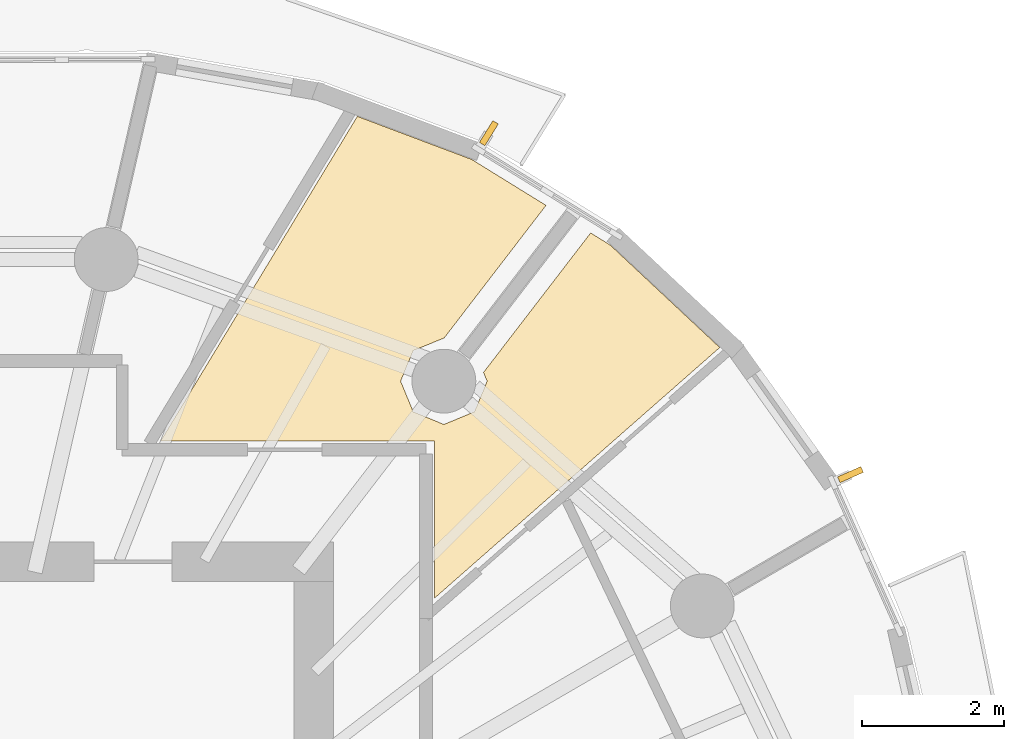
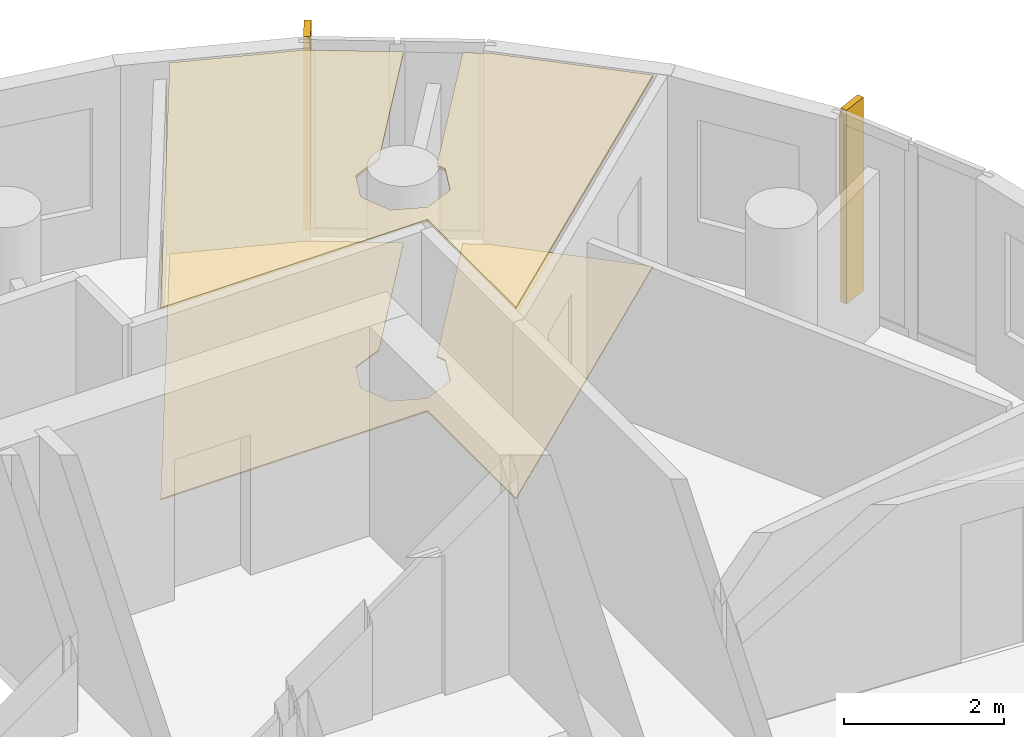
# One storey, part 10 of 10: 2 coverings, 2 shading devices.
"""IFC4 building model written with IfcOpenShell, lengths in metres."""

import ifcopenshell
import ifcopenshell.guid

model = None  # the IFC model being written
_history = None  # IfcOwnerHistory: only IFC2X3 demands one
_inside = {}  # id of a spatial element -> (the spatial element, [elements in it])
_under = {}  # id of a project, library or spatial element -> (it, [spatial elements below it])
_declared = {}  # id of a project -> (the project, [libraries it declares])
_typed = {}  # id of a type object -> (the type object, [elements of that type])
_made_of = {}  # id of a material, layer set ... -> (it, [elements and type objects made of it])


def new_model(schema):
    """Start an empty IFC model of exactly this schema.

    Asked for "IFC4X3", IfcOpenShell would pick the latest addendum, in which some entities
    have other attributes; the version numbers below select the first issue.
    IFC2X3 requires an IfcOwnerHistory on every rooted entity: one is made here for all.
    """
    global model, _history
    if schema == "IFC4X3":
        model = ifcopenshell.file(schema_version=(4, 3, 0, 0))
    else:
        model = ifcopenshell.file(schema=schema)
    _inside.clear()
    _under.clear()
    _declared.clear()
    _typed.clear()
    _made_of.clear()
    _history = None
    if model.schema == "IFC2X3":
        org = make("IfcOrganization", Name="unknown")
        user = make(
            "IfcPersonAndOrganization",
            ThePerson=make("IfcPerson", FamilyName="unknown"),
            TheOrganization=org,
        )
        app = make(
            "IfcApplication",
            ApplicationDeveloper=org,
            Version="unknown",
            ApplicationFullName="unknown",
            ApplicationIdentifier="unknown",
        )
        _history = make(
            "IfcOwnerHistory",
            OwningUser=user,
            OwningApplication=app,
            ChangeAction="ADDED",
            CreationDate=0,
        )
    return model


def make(cls, **values):
    """One entity of the class cls with the attributes given. An attribute that is None is left unset."""
    return model.create_entity(
        cls, **{name: value for name, value in values.items() if value is not None}
    )


def rooted(cls, **values):
    """An entity with a GlobalId (a new one), such as an element, a storey or a relation."""
    return make(cls, GlobalId=ifcopenshell.guid.new(), OwnerHistory=_history, **values)


def si_unit(unit_type, name, prefix=None):
    """IfcSIUnit, for example si_unit("LENGTHUNIT", "METRE", prefix="MILLI")."""
    return make("IfcSIUnit", UnitType=unit_type, Prefix=prefix, Name=name)


def assignment(units):
    """IfcUnitAssignment: the units of a project."""
    return None if units is None else make("IfcUnitAssignment", Units=units)


def point(xyz):
    """IfcCartesianPoint."""
    return None if xyz is None else make("IfcCartesianPoint", Coordinates=xyz)


def direction(xyz):
    """IfcDirection."""
    return None if xyz is None else make("IfcDirection", DirectionRatios=xyz)


def frame(location, z_axis=None, x_axis=None):
    """IfcAxis2Placement3D, a coordinate frame: its origin and axes. An axis left out is left unset."""
    return make(
        "IfcAxis2Placement3D",
        Location=point(location),
        Axis=direction(z_axis),
        RefDirection=direction(x_axis),
    )


def frame_2d(location, x_axis=None):
    """IfcAxis2Placement2D, a coordinate frame in the plane: its origin and x axis."""
    return make(
        "IfcAxis2Placement2D", Location=point(location), RefDirection=direction(x_axis)
    )


def origin():
    """The frame at (0, 0, 0) with its axes left unset."""
    return frame((0.0, 0.0, 0.0))


def origin_2d():
    """The frame at (0, 0) in the plane with its x axis left unset."""
    return frame_2d((0.0, 0.0))


def place(relative_to, where):
    """IfcLocalPlacement: puts the frame where relative to a parent placement (None: the world)."""
    return make(
        "IfcLocalPlacement", PlacementRelTo=relative_to, RelativePlacement=where
    )


def context(
    kind, dimensions, precision=None, world=None, true_north=None, identifier=None
):
    """IfcGeometricRepresentationContext, for example the 3D "Model" context."""
    return make(
        "IfcGeometricRepresentationContext",
        ContextIdentifier=identifier,
        ContextType=kind,
        CoordinateSpaceDimension=dimensions,
        Precision=precision,
        WorldCoordinateSystem=world,
        TrueNorth=true_north,
    )


def subcontext(parent, identifier, kind, view, scale=None):
    """IfcGeometricRepresentationSubContext, for example "Body" below "Model"."""
    return make(
        "IfcGeometricRepresentationSubContext",
        ContextIdentifier=identifier,
        ContextType=kind,
        ParentContext=parent,
        TargetScale=scale,
        TargetView=view,
    )


def project(units=None, contexts=None):
    """IfcProject with its units and contexts."""
    return rooted(
        "IfcProject",
        Name="project",
        RepresentationContexts=contexts,
        UnitsInContext=assignment(units),
    )


def spatial(cls, under=None, at=None, **own):
    """A site, building, storey or space (cls), placed at a placement, below another one or the project."""
    s = rooted(cls, ObjectPlacement=at, **own)
    if under is not None:
        _under.setdefault(under.id(), (under, []))[1].append(s)
    return s


def polyline(points):
    """IfcPolyline through the points."""
    return make("IfcPolyline", Points=[point(p) for p in points])


def profile(cls, at=None, kind="AREA", **sizes):
    """A parametric profile (cls). Its sizes go by their IFC names, for example OverallWidth=200.0."""
    return make(cls, ProfileType=kind, Position=at, **sizes)


def rectangle(**sizes):
    """IfcRectangleProfileDef."""
    return profile("IfcRectangleProfileDef", **sizes)


def outline(outer, holes=None, kind="AREA"):
    """IfcArbitraryClosedProfileDef: a profile drawn as a closed curve; with holes, ...WithVoids."""
    if holes is None:
        return make("IfcArbitraryClosedProfileDef", ProfileType=kind, OuterCurve=outer)
    return make(
        "IfcArbitraryProfileDefWithVoids",
        ProfileType=kind,
        OuterCurve=outer,
        InnerCurves=holes,
    )


def extrude(swept, where, along, depth):
    """IfcExtrudedAreaSolid: the profile swept, set in the frame where, extruded along a direction by depth."""
    return make(
        "IfcExtrudedAreaSolid",
        SweptArea=swept,
        Position=where,
        ExtrudedDirection=direction(along),
        Depth=depth,
    )


def shape(context_of_items, identifier, shape_type, items):
    """IfcShapeRepresentation: the items that make up one representation, for example the "Body"."""
    return make(
        "IfcShapeRepresentation",
        ContextOfItems=context_of_items,
        RepresentationIdentifier=identifier,
        RepresentationType=shape_type,
        Items=items,
    )


def material(Name=None, Category=None):
    """IfcMaterial."""
    return make("IfcMaterial", Name=Name, Category=Category)


def layer(
    of_material, thickness, ventilated=None, Name=None, Category=None, Priority=None
):
    """IfcMaterialLayer: one layer of a wall or slab, of a material (None: an air gap)."""
    return make(
        "IfcMaterialLayer",
        Material=of_material,
        LayerThickness=thickness,
        IsVentilated=ventilated,
        Name=Name,
        Category=Category,
        Priority=Priority,
    )


def layer_set(layers, Name=None):
    """IfcMaterialLayerSet."""
    return make("IfcMaterialLayerSet", MaterialLayers=layers, LayerSetName=Name)


def made_of(thing, what):
    """Note that an element or type object is made of a material, layer set ...; save() writes the relation."""
    if what is not None:
        _made_of.setdefault(what.id(), (what, []))[1].append(thing)
    return thing


def type_object(cls, material=None, **own):
    """A type object (cls), such as IfcWallType, which elements share."""
    return made_of(rooted(cls, **own), material)


def element(
    cls,
    number,
    at=None,
    inside=None,
    cuts=None,
    type_object=None,
    material=None,
    context=None,
    identifier="Body",
    shape_type=None,
    held_by="IfcProductDefinitionShape",
    body=None,
    shapes=None,
    **own,
):
    """One element of the class cls, such as IfcWall. Its Tag is "e" and its number.

    at: its placement. inside: the storey or other place that contains it. cuts: it is an
    opening in that element (IfcRelVoidsElement). A single representation is given by context,
    identifier, shape_type and body (its items); several are given by shapes. held_by: the class
    of the entity that holds the representations. save() writes the other relations.
    """
    e = rooted(cls, Tag="e%d" % number, ObjectPlacement=at, **own)
    if body is not None:
        shapes = [shape(context, identifier, shape_type, body)]
    if shapes is not None:
        e.Representation = make(held_by, Representations=shapes)
    if inside is not None:
        _inside.setdefault(inside.id(), (inside, []))[1].append(e)
    if cuts is not None:
        rooted(
            "IfcRelVoidsElement", RelatingBuildingElement=cuts, RelatedOpeningElement=e
        )
    if type_object is not None:
        _typed.setdefault(type_object.id(), (type_object, []))[1].append(e)
    return made_of(e, material)


def aggregate(whole, parts):
    """IfcRelAggregates: a whole, such as a stair, and the parts it consists of."""
    return rooted("IfcRelAggregates", RelatingObject=whole, RelatedObjects=parts)


def save(model, path):
    """Write the relations noted so far, then the file.

    IfcRelAggregates (storeys below a building ...), IfcRelContainedInSpatialStructure (elements
    in a storey), IfcRelDefinesByType, IfcRelAssociatesMaterial and IfcRelDeclares: one each for
    every whole, place, type object, material and project.
    """
    for whole, parts in _under.values():
        aggregate(whole, parts)
    for where, things in _inside.values():
        rooted(
            "IfcRelContainedInSpatialStructure",
            RelatedElements=things,
            RelatingStructure=where,
        )
    for kind, things in _typed.values():
        rooted("IfcRelDefinesByType", RelatedObjects=things, RelatingType=kind)
    for what, things in _made_of.values():
        rooted("IfcRelAssociatesMaterial", RelatedObjects=things, RelatingMaterial=what)
    for by, libraries in _declared.values():
        rooted("IfcRelDeclares", RelatingContext=by, RelatedDefinitions=libraries)
    model.write(path)


model = new_model("IFC4")

# Units and contexts
model_context = context("Model", 3, precision=1e-05, world=origin(), true_north=direction((0.0, 1.0)))
body_context = subcontext(model_context, "Body", "Model", "MODEL_VIEW")
ifc_project = project(units=[si_unit("LENGTHUNIT", "METRE"), si_unit("AREAUNIT", "SQUARE_METRE"), si_unit("VOLUMEUNIT", "CUBIC_METRE"), si_unit("PLANEANGLEUNIT", "RADIAN"), si_unit("MASSUNIT", "GRAM", prefix="KILO")], contexts=[model_context])

# Site, building, storey
site_placement = place(None, origin())
site = spatial("IfcSite", under=ifc_project, at=site_placement, CompositionType="ELEMENT")
building_placement = place(site_placement, origin())
building = spatial("IfcBuilding", under=site, at=building_placement, Name="Veldorim Arch Residences", CompositionType="ELEMENT")
storey_placement = place(building_placement, frame((0.0, 0.0, 172.639892578125)))
storey = spatial("IfcBuildingStorey", under=building, at=storey_placement, Name="L51", CompositionType="ELEMENT", Elevation=172.639892578125)

# Coverings
ifc_material_1 = material(Name="Acoustic Gypsum & Mineral Fibre", Category="gypsum")
ifc_layer_1 = layer(ifc_material_1, 0.034912109375, Name="Perforated Acoustic Mineral-Fibre Ceiling 35")
ifc_layer_set_1 = layer_set([ifc_layer_1], Name="Acoustic Gypsum & Mineral Fibre")
covering_type_1 = type_object("IfcCoveringType", Name="Perforated Acoustic Mineral-Fibre Ceiling 35", PredefinedType="CEILING", material=ifc_layer_set_1)
covering_1_placement = place(storey_placement, frame((0.0, 0.0, 2.905029296875)))
element("IfcCovering", 1, at=covering_1_placement, inside=storey, type_object=covering_type_1, Name="L51 acoustic suspended ceiling 02", PredefinedType="CEILING", context=body_context, shape_type="SweptSolid", body=[
    extrude(outline(polyline([(39.724853515625, 36.67041015625), (40.773193359375, 36.022705078125), (39.33740234375, 34.153564453125), (38.902099609375, 33.9765625), (38.7236328125, 33.54541015625), (38.902099609375, 33.114013671875), (39.33349609375, 32.935302734375), (39.764892578125, 33.114013671875), (39.943359375, 33.54541015625), (39.89208984375, 33.669189453125), (41.40185546875, 35.63427734375), (41.677734375, 35.463623046875), (43.22119140625, 34.019775390625), (39.199951171875, 30.486328125), (39.199951171875, 32.699951171875), (35.34130859375, 32.699951171875), (38.1142578125, 37.27685546875), (39.724853515625, 36.67041015625)])), origin(), (0.0, 0.0, 1.0), 0.03515625),
])
ifc_material_2 = material(Name="Porcelain Ceramic Tile", Category="ceramic")
ifc_layer_2 = layer(ifc_material_2, 0.02001953125, Name="Slip-Resistant Porcelain & Vinyl Floor Finish 20")
ifc_layer_set_2 = layer_set([ifc_layer_2], Name="Porcelain Ceramic Tile")
covering_type_2 = type_object("IfcCoveringType", Name="Slip-Resistant Porcelain & Vinyl Floor Finish 20", PredefinedType="FLOORING", material=ifc_layer_set_2)
covering_2_placement = place(storey_placement, origin())
element("IfcCovering", 2, at=covering_2_placement, inside=storey, type_object=covering_type_2, Name="L51 porcelain floor finish 02", PredefinedType="FLOORING", context=body_context, shape_type="SweptSolid", body=[
    extrude(outline(polyline([(39.724853515625, 36.67041015625), (40.773193359375, 36.022705078125), (39.33740234375, 34.153564453125), (38.902099609375, 33.9765625), (38.7236328125, 33.54541015625), (38.902099609375, 33.114013671875), (39.33349609375, 32.935302734375), (39.764892578125, 33.114013671875), (39.943359375, 33.54541015625), (39.89208984375, 33.669189453125), (41.40185546875, 35.63427734375), (41.677734375, 35.463623046875), (43.22119140625, 34.019775390625), (39.199951171875, 30.486328125), (39.199951171875, 32.699951171875), (35.34130859375, 32.699951171875), (38.1142578125, 37.27685546875), (39.724853515625, 36.67041015625)])), origin(), (0.0, 0.0, 1.0), 0.02001953125),
])

# Shading devices
ifc_material_3 = material(Name="Terracotta Ceramic", Category="masonry")
ifc_layer_3 = layer(ifc_material_3, 0.090087890625, Name="Vertical Extruded Terracotta Baguette Sun-Shading Fin")
ifc_layer_set_3 = layer_set([ifc_layer_3], Name="Terracotta Ceramic")
shading_device_type = type_object("IfcShadingDeviceType", Name="Vertical Extruded Terracotta Baguette Sun-Shading Fin", PredefinedType="USERDEFINED", material=ifc_layer_set_3)
for number, where, z_axis, x_axis, name in (
    (3, (39.9677734375, 37.040283203125, 0.000244140625), (0.0, 0.0, 1.0), (0.850719384362, -0.52562013762, 0.0), "L51 vertical terracotta sun-shading fin 02"),
    (4, (45.06298828125, 32.228515625, 0.000244140625), (0.0, 0.0, 1.0), (0.407214918582, -0.913332365617, 0.0), "L51 vertical terracotta sun-shading fin 35"),
):
    element("IfcShadingDevice", number, at=place(storey_placement, frame(where, z_axis=z_axis, x_axis=x_axis)), inside=storey, type_object=shading_device_type, Name=name, ObjectType="FIN", PredefinedType="USERDEFINED", context=body_context, shape_type="SweptSolid", body=[
        extrude(rectangle(XDim=0.090087890625, YDim=0.360107421875, at=origin_2d()), origin(), (0.0, 0.0, 1.0), 2.9599609375),
    ])

save(model, "model.ifc")
